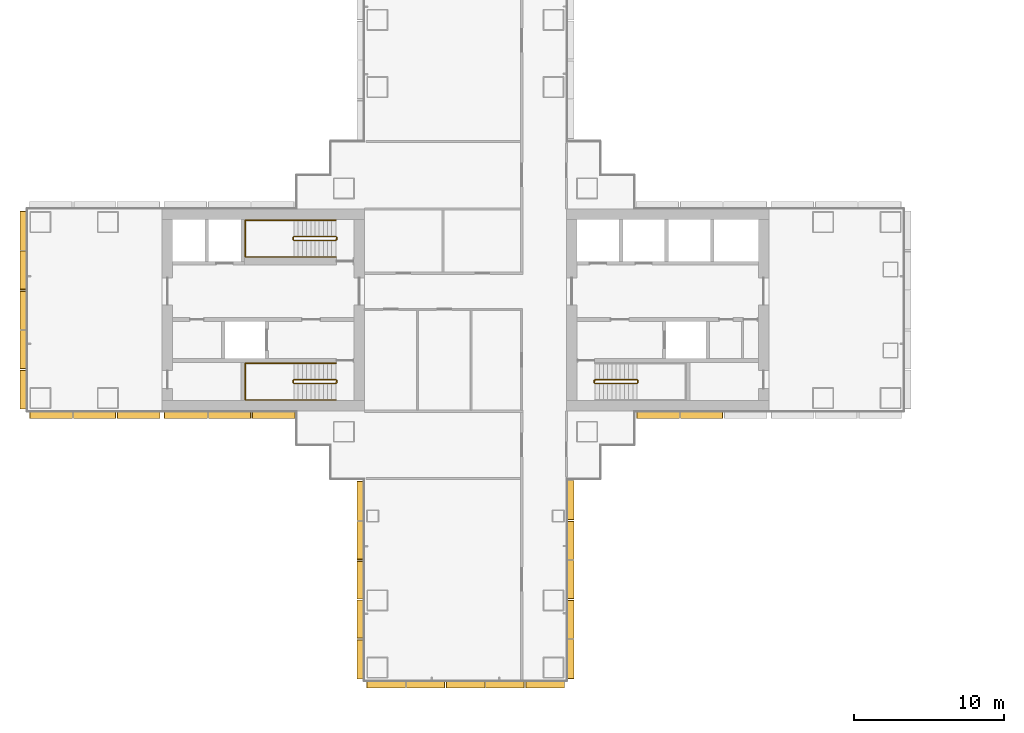
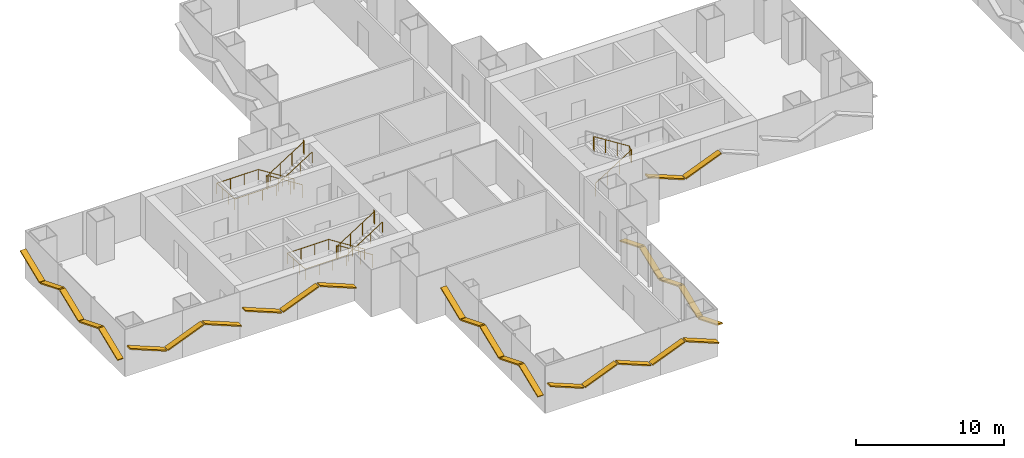
# One storey, part 18 of 21: 28 shading devices, 5 railings.
"""IFC4 building model written with IfcOpenShell, lengths in metres."""

from ifc_helpers import new_model, si_unit, direction, frame, origin, origin_2d, place, context, subcontext, project, spatial, rectangle, circle, extrude, material, material_profile, profile_set, type_object, element, save


model = new_model("IFC4")

# Units and contexts
model_context = context("Model", 3, precision=1e-05, world=origin(), true_north=direction((0.0, 1.0)))
body_context = subcontext(model_context, "Body", "Model", "MODEL_VIEW")
ifc_project = project(units=[si_unit("LENGTHUNIT", "METRE"), si_unit("AREAUNIT", "SQUARE_METRE"), si_unit("VOLUMEUNIT", "CUBIC_METRE"), si_unit("PLANEANGLEUNIT", "RADIAN"), si_unit("MASSUNIT", "GRAM", prefix="KILO")], contexts=[model_context])

# Site, building, storey
site_placement = place(None, origin())
site = spatial("IfcSite", under=ifc_project, at=site_placement, CompositionType="ELEMENT")
building_placement = place(site_placement, origin())
building = spatial("IfcBuilding", under=site, at=building_placement, Name="Shamsa Quay Exchange Towers", CompositionType="ELEMENT")
storey_placement = place(building_placement, frame((0.0, 0.0, 57.60009765625)))
storey = spatial("IfcBuildingStorey", under=building, at=storey_placement, Name="L12", CompositionType="ELEMENT", Elevation=57.60009765625)

# Shading devices
ifc_material_1 = material(Name="Aluminium EN AW-6063 T6, black anodised", Category="aluminium")
ifc_material_profile = material_profile(ifc_material_1, rectangle(XDim=0.449951171875, YDim=0.10009765625, at=origin_2d()), Name="FIN450x100")
ifc_profile_set = profile_set([ifc_material_profile], Name="Aluminium EN AW-6063 T6, black anodised")
shading_device_type = type_object("IfcShadingDeviceType", Name="FIN 450x100 BLACK ALUMINIUM", PredefinedType="USERDEFINED", material=ifc_profile_set)
shading_device_1_placement = place(storey_placement, frame((-40.764892578125, -11.43798828125, 2.12158203125), z_axis=(0.0, -0.927177443455, -0.374622461082), x_axis=(1.0, 0.0, 0.0)))
element("IfcShadingDevice", 1, at=shading_device_1_placement, inside=storey, type_object=shading_device_type, Name="FIN T1 chevron rib", ObjectType="FIN", PredefinedType="USERDEFINED", context=body_context, shape_type="SweptSolid", body=[
    extrude(rectangle(XDim=0.449951171875, YDim=0.10009765625, at=origin_2d()), origin(), (0.0, 0.0, 1.0), 2.785400390625),
])
for number, where, z_axis, x_axis, name in (
    (2, (-40.764892578125, -14.120361328125, 1.08837890625), (0.0, -0.927182738176, 0.374609356569), (1.0, 0.0, 0.0), "FIN T1 chevron rib"),
    (3, (-40.764892578125, -16.752685546875, 2.111572265625), (0.0, -0.927182738176, -0.374609356569), (1.0, 0.0, 0.0), "FIN T1 chevron rib"),
):
    element("IfcShadingDevice", number, at=place(storey_placement, frame(where, z_axis=z_axis, x_axis=x_axis)), inside=storey, type_object=shading_device_type, Name=name, ObjectType="FIN", PredefinedType="USERDEFINED", context=body_context, shape_type="SweptSolid", body=[
        extrude(rectangle(XDim=0.449951171875, YDim=0.10009765625, at=origin_2d()), origin(), (0.0, 0.0, 1.0), 2.7314453125),
    ])
shading_device_2_placement = place(storey_placement, frame((-40.764892578125, -19.38525390625, 1.08837890625), z_axis=(0.0, -0.927170193131, 0.37464040488), x_axis=(1.0, 0.0, 0.0)))
element("IfcShadingDevice", 4, at=shading_device_2_placement, inside=storey, type_object=shading_device_type, Name="FIN T1 chevron rib", ObjectType="FIN", PredefinedType="USERDEFINED", context=body_context, shape_type="SweptSolid", body=[
    extrude(rectangle(XDim=0.449951171875, YDim=0.10009765625, at=origin_2d()), origin(), (0.0, 0.0, 1.0), 2.731201171875),
])
shading_device_3_placement = place(storey_placement, frame((-40.764892578125, -22.017578125, 2.12158203125), z_axis=(0.0, -0.927177443455, -0.374622461082), x_axis=(1.0, 0.0, 0.0)))
element("IfcShadingDevice", 5, at=shading_device_3_placement, inside=storey, type_object=shading_device_type, Name="FIN T1 chevron rib", ObjectType="FIN", PredefinedType="USERDEFINED", context=body_context, shape_type="SweptSolid", body=[
    extrude(rectangle(XDim=0.449951171875, YDim=0.10009765625, at=origin_2d()), origin(), (0.0, 0.0, 1.0), 2.785400390625),
])
shading_device_4_placement = place(storey_placement, frame((-40.35009765625, -25.014892578125, 2.123046875), z_axis=(0.927193392866, 0.0, -0.374582984431), x_axis=(0.0, 1.0, 0.0)))
element("IfcShadingDevice", 6, at=shading_device_4_placement, inside=storey, type_object=shading_device_type, Name="FIN T1 chevron rib", ObjectType="FIN", PredefinedType="USERDEFINED", context=body_context, shape_type="SweptSolid", body=[
    extrude(rectangle(XDim=0.449951171875, YDim=0.10009765625, at=origin_2d()), origin(), (0.0, 0.0, 1.0), 2.79345703125),
])
shading_device_5_placement = place(storey_placement, frame((-37.659912109375, -25.014892578125, 1.086669921875), z_axis=(0.927155522456, 0.0, 0.374676710219), x_axis=(0.0, 1.0, 0.0)))
element("IfcShadingDevice", 7, at=shading_device_5_placement, inside=storey, type_object=shading_device_type, Name="FIN T1 chevron rib", ObjectType="FIN", PredefinedType="USERDEFINED", context=body_context, shape_type="SweptSolid", body=[
    extrude(rectangle(XDim=0.449951171875, YDim=0.10009765625, at=origin_2d()), origin(), (0.0, 0.0, 1.0), 2.7392578125),
])
shading_device_6_placement = place(storey_placement, frame((-35.02001953125, -25.014892578125, 2.113037109375), z_axis=(0.927168032348, 0.0, -0.374645752402), x_axis=(0.0, 1.0, 0.0)))
element("IfcShadingDevice", 8, at=shading_device_6_placement, inside=storey, type_object=shading_device_type, Name="FIN T1 chevron rib", ObjectType="FIN", PredefinedType="USERDEFINED", context=body_context, shape_type="SweptSolid", body=[
    extrude(rectangle(XDim=0.449951171875, YDim=0.10009765625, at=origin_2d()), origin(), (0.0, 0.0, 1.0), 2.739501953125),
])
shading_device_7_placement = place(storey_placement, frame((-32.3798828125, -25.014892578125, 1.086669921875), z_axis=(0.927155522456, 0.0, 0.374676710219), x_axis=(0.0, 1.0, 0.0)))
element("IfcShadingDevice", 9, at=shading_device_7_placement, inside=storey, type_object=shading_device_type, Name="FIN T1 chevron rib", ObjectType="FIN", PredefinedType="USERDEFINED", context=body_context, shape_type="SweptSolid", body=[
    extrude(rectangle(XDim=0.449951171875, YDim=0.10009765625, at=origin_2d()), origin(), (0.0, 0.0, 1.0), 2.7392578125),
])
for number, where, z_axis, x_axis, name in (
    (10, (-29.739990234375, -25.014892578125, 2.123046875), (0.927193392866, 0.0, -0.374582984431), (0.0, 1.0, 0.0), "FIN T1 chevron rib"),
    (11, (-26.735107421875, -24.60009765625, 2.123046875), (0.0, 0.927193392866, -0.374582984431), (-1.0, 0.0, 0.0), "FIN T1 chevron rib"),
):
    element("IfcShadingDevice", number, at=place(storey_placement, frame(where, z_axis=z_axis, x_axis=x_axis)), inside=storey, type_object=shading_device_type, Name=name, ObjectType="FIN", PredefinedType="USERDEFINED", context=body_context, shape_type="SweptSolid", body=[
        extrude(rectangle(XDim=0.449951171875, YDim=0.10009765625, at=origin_2d()), origin(), (0.0, 0.0, 1.0), 2.79345703125),
    ])
shading_device_8_placement = place(storey_placement, frame((-26.735107421875, -21.909912109375, 1.086669921875), z_axis=(0.0, 0.927155522456, 0.374676710219), x_axis=(-1.0, 0.0, 0.0)))
element("IfcShadingDevice", 12, at=shading_device_8_placement, inside=storey, type_object=shading_device_type, Name="FIN T1 chevron rib", ObjectType="FIN", PredefinedType="USERDEFINED", context=body_context, shape_type="SweptSolid", body=[
    extrude(rectangle(XDim=0.449951171875, YDim=0.10009765625, at=origin_2d()), origin(), (0.0, 0.0, 1.0), 2.7392578125),
])
shading_device_9_placement = place(storey_placement, frame((-26.735107421875, -19.27001953125, 2.113037109375), z_axis=(0.0, 0.927168032348, -0.374645752402), x_axis=(-1.0, 0.0, 0.0)))
element("IfcShadingDevice", 13, at=shading_device_9_placement, inside=storey, type_object=shading_device_type, Name="FIN T1 chevron rib", ObjectType="FIN", PredefinedType="USERDEFINED", context=body_context, shape_type="SweptSolid", body=[
    extrude(rectangle(XDim=0.449951171875, YDim=0.10009765625, at=origin_2d()), origin(), (0.0, 0.0, 1.0), 2.739501953125),
])
shading_device_10_placement = place(storey_placement, frame((-26.735107421875, -16.6298828125, 1.086669921875), z_axis=(0.0, 0.927155522456, 0.374676710219), x_axis=(-1.0, 0.0, 0.0)))
element("IfcShadingDevice", 14, at=shading_device_10_placement, inside=storey, type_object=shading_device_type, Name="FIN T1 chevron rib", ObjectType="FIN", PredefinedType="USERDEFINED", context=body_context, shape_type="SweptSolid", body=[
    extrude(rectangle(XDim=0.449951171875, YDim=0.10009765625, at=origin_2d()), origin(), (0.0, 0.0, 1.0), 2.7392578125),
])
shading_device_11_placement = place(storey_placement, frame((-26.735107421875, -13.989990234375, 2.123046875), z_axis=(0.0, 0.927193392866, -0.374582984431), x_axis=(-1.0, 0.0, 0.0)))
element("IfcShadingDevice", 15, at=shading_device_11_placement, inside=storey, type_object=shading_device_type, Name="FIN T1 chevron rib", ObjectType="FIN", PredefinedType="USERDEFINED", context=body_context, shape_type="SweptSolid", body=[
    extrude(rectangle(XDim=0.449951171875, YDim=0.10009765625, at=origin_2d()), origin(), (0.0, 0.0, 1.0), 2.79345703125),
])
shading_device_12_placement = place(storey_placement, frame((-22.31201171875, -7.01904296875, 2.173095703125), z_axis=(0.927172570945, 0.0, -0.374634520148), x_axis=(0.0, 1.0, 0.0)))
element("IfcShadingDevice", 16, at=shading_device_12_placement, inside=storey, type_object=shading_device_type, Name="FIN T1 chevron rib", ObjectType="FIN", PredefinedType="USERDEFINED", context=body_context, shape_type="SweptSolid", body=[
    extrude(rectangle(XDim=0.449951171875, YDim=0.10009765625, at=origin_2d()), origin(), (0.0, 0.0, 1.0), 3.060302734375),
])
shading_device_13_placement = place(storey_placement, frame((-19.374755859375, -7.01904296875, 1.036865234375), z_axis=(0.927177294124, 0.0, 0.374622830673), x_axis=(0.0, 1.0, 0.0)))
element("IfcShadingDevice", 17, at=shading_device_13_placement, inside=storey, type_object=shading_device_type, Name="FIN T1 chevron rib", ObjectType="FIN", PredefinedType="USERDEFINED", context=body_context, shape_type="SweptSolid", body=[
    extrude(rectangle(XDim=0.449951171875, YDim=0.10009765625, at=origin_2d()), origin(), (0.0, 0.0, 1.0), 3.00634765625),
])
shading_device_14_placement = place(storey_placement, frame((-63.264892578125, 6.60009765625, 2.123046875), z_axis=(0.0, -0.927193392866, -0.374582984431), x_axis=(1.0, 0.0, 0.0)))
element("IfcShadingDevice", 18, at=shading_device_14_placement, inside=storey, type_object=shading_device_type, Name="FIN T1 chevron rib", ObjectType="FIN", PredefinedType="USERDEFINED", context=body_context, shape_type="SweptSolid", body=[
    extrude(rectangle(XDim=0.449951171875, YDim=0.10009765625, at=origin_2d()), origin(), (0.0, 0.0, 1.0), 2.79345703125),
])
shading_device_15_placement = place(storey_placement, frame((-63.264892578125, 3.909912109375, 1.086669921875), z_axis=(0.0, -0.927155522456, 0.374676710219), x_axis=(1.0, 0.0, 0.0)))
element("IfcShadingDevice", 19, at=shading_device_15_placement, inside=storey, type_object=shading_device_type, Name="FIN T1 chevron rib", ObjectType="FIN", PredefinedType="USERDEFINED", context=body_context, shape_type="SweptSolid", body=[
    extrude(rectangle(XDim=0.449951171875, YDim=0.10009765625, at=origin_2d()), origin(), (0.0, 0.0, 1.0), 2.7392578125),
])
shading_device_16_placement = place(storey_placement, frame((-63.264892578125, 1.27001953125, 2.113037109375), z_axis=(0.0, -0.927168032348, -0.374645752402), x_axis=(1.0, 0.0, 0.0)))
element("IfcShadingDevice", 20, at=shading_device_16_placement, inside=storey, type_object=shading_device_type, Name="FIN T1 chevron rib", ObjectType="FIN", PredefinedType="USERDEFINED", context=body_context, shape_type="SweptSolid", body=[
    extrude(rectangle(XDim=0.449951171875, YDim=0.10009765625, at=origin_2d()), origin(), (0.0, 0.0, 1.0), 2.739501953125),
])
shading_device_17_placement = place(storey_placement, frame((-63.264892578125, -1.3701171875, 1.086669921875), z_axis=(0.0, -0.927155522456, 0.374676710219), x_axis=(1.0, 0.0, 0.0)))
element("IfcShadingDevice", 21, at=shading_device_17_placement, inside=storey, type_object=shading_device_type, Name="FIN T1 chevron rib", ObjectType="FIN", PredefinedType="USERDEFINED", context=body_context, shape_type="SweptSolid", body=[
    extrude(rectangle(XDim=0.449951171875, YDim=0.10009765625, at=origin_2d()), origin(), (0.0, 0.0, 1.0), 2.7392578125),
])
shading_device_18_placement = place(storey_placement, frame((-63.264892578125, -4.010009765625, 2.123046875), z_axis=(0.0, -0.927193392866, -0.374582984431), x_axis=(1.0, 0.0, 0.0)))
element("IfcShadingDevice", 22, at=shading_device_18_placement, inside=storey, type_object=shading_device_type, Name="FIN T1 chevron rib", ObjectType="FIN", PredefinedType="USERDEFINED", context=body_context, shape_type="SweptSolid", body=[
    extrude(rectangle(XDim=0.449951171875, YDim=0.10009765625, at=origin_2d()), origin(), (0.0, 0.0, 1.0), 2.79345703125),
])
shading_device_19_placement = place(storey_placement, frame((-62.85009765625, -7.014892578125, 2.175537109375), z_axis=(0.927200465101, 0.0, -0.374565478278), x_axis=(0.0, 1.0, 0.0)))
element("IfcShadingDevice", 23, at=shading_device_19_placement, inside=storey, type_object=shading_device_type, Name="FIN T1 chevron rib", ObjectType="FIN", PredefinedType="USERDEFINED", context=body_context, shape_type="SweptSolid", body=[
    extrude(rectangle(XDim=0.449951171875, YDim=0.10009765625, at=origin_2d()), origin(), (0.0, 0.0, 1.0), 3.073974609375),
])
shading_device_20_placement = place(storey_placement, frame((-59.89990234375, -7.014892578125, 1.0341796875), z_axis=(0.927166240011, 0.0, 0.37465018802), x_axis=(0.0, 1.0, 0.0)))
element("IfcShadingDevice", 24, at=shading_device_20_placement, inside=storey, type_object=shading_device_type, Name="FIN T1 chevron rib", ObjectType="FIN", PredefinedType="USERDEFINED", context=body_context, shape_type="SweptSolid", body=[
    extrude(rectangle(XDim=0.449951171875, YDim=0.10009765625, at=origin_2d()), origin(), (0.0, 0.0, 1.0), 3.019775390625),
])
for number, where, z_axis, x_axis, name in (
    (25, (-57.0, -7.014892578125, 2.175537109375), (0.927200465101, 0.0, -0.374565478278), (0.0, 1.0, 0.0), "FIN T1 chevron rib"),
    (26, (-53.85009765625, -7.01904296875, 2.175537109375), (0.927200465101, 0.0, -0.374565478278), (0.0, 1.0, 0.0), "FIN T1 chevron rib"),
):
    element("IfcShadingDevice", number, at=place(storey_placement, frame(where, z_axis=z_axis, x_axis=x_axis)), inside=storey, type_object=shading_device_type, Name=name, ObjectType="FIN", PredefinedType="USERDEFINED", context=body_context, shape_type="SweptSolid", body=[
        extrude(rectangle(XDim=0.449951171875, YDim=0.10009765625, at=origin_2d()), origin(), (0.0, 0.0, 1.0), 3.073974609375),
    ])
shading_device_21_placement = place(storey_placement, frame((-50.89990234375, -7.01904296875, 1.0341796875), z_axis=(0.927166240011, 0.0, 0.37465018802), x_axis=(0.0, 1.0, 0.0)))
element("IfcShadingDevice", 27, at=shading_device_21_placement, inside=storey, type_object=shading_device_type, Name="FIN T1 chevron rib", ObjectType="FIN", PredefinedType="USERDEFINED", context=body_context, shape_type="SweptSolid", body=[
    extrude(rectangle(XDim=0.449951171875, YDim=0.10009765625, at=origin_2d()), origin(), (0.0, 0.0, 1.0), 3.019775390625),
])
shading_device_22_placement = place(storey_placement, frame((-48.0, -7.01904296875, 2.175537109375), z_axis=(0.927200465101, 0.0, -0.374565478278), x_axis=(0.0, 1.0, 0.0)))
element("IfcShadingDevice", 28, at=shading_device_22_placement, inside=storey, type_object=shading_device_type, Name="FIN T1 chevron rib", ObjectType="FIN", PredefinedType="USERDEFINED", context=body_context, shape_type="SweptSolid", body=[
    extrude(rectangle(XDim=0.449951171875, YDim=0.10009765625, at=origin_2d()), origin(), (0.0, 0.0, 1.0), 3.073974609375),
])

# Railings
ifc_material_2 = material(Name="Stainless steel", Category="steel")
railing_type_1 = type_object("IfcRailingType", Name="STAIR GUARD 1100", PredefinedType="GUARDRAIL", material=ifc_material_2)
railing_1_placement = place(storey_placement, frame((-25.10009765625, -4.89990234375, 0.17724609375)))
element("IfcRailing", 29, at=railing_1_placement, inside=storey, type_object=railing_type_1, Name="L12 ST1 stair guard 1", PredefinedType="GUARDRAIL", context=body_context, shape_type="SweptSolid", body=[
    extrude(circle(Radius=0.02392578125, at=origin_2d()), frame((0.0, 0.0, 1.076171875), z_axis=(0.844908973607, 0.0, 0.534910110503), x_axis=(0.0, 1.0, 0.0)), (0.0, 0.0, 1.0), 3.31396484375),
    extrude(circle(Radius=0.02392578125, at=origin_2d()), frame((2.800048828125, 0.0, 2.8486328125), z_axis=(0.708833529934, 0.705375805398, 0.0), x_axis=(-0.705375805398, 0.708833529934, 0.0)), (0.0, 0.0, 1.0), 0.070556640625),
    extrude(circle(Radius=0.02392578125, at=origin_2d()), frame((2.85009765625, 0.0498046875, 2.8486328125), z_axis=(0.0, 1.0, 0.0), x_axis=(-1.0, 0.0, 0.0)), (0.0, 0.0, 1.0), 0.150146484375),
    extrude(circle(Radius=0.02392578125, at=origin_2d()), frame((2.85009765625, 0.199951171875, 2.8486328125), z_axis=(-0.262233686654, 0.262233686654, 0.928691007369), x_axis=(-0.707106781187, -0.707106781187, 0.0)), (0.0, 0.0, 1.0), 0.19091796875),
    extrude(circle(Radius=0.02392578125, at=origin_2d()), frame((2.800048828125, 0.25, 3.02587890625), z_axis=(-0.844908973607, 0.0, 0.534910110503), x_axis=(0.0, -1.0, 0.0)), (0.0, 0.0, 1.0), 3.31396484375),
    extrude(circle(Radius=0.02392578125, at=origin_2d()), frame((0.0, 0.25, 4.798828125), z_axis=(-0.24142163986, -0.970420317083, 0.0), x_axis=(0.970420317083, -0.24142163986, 0.0)), (0.0, 0.0, 1.0), 0.206298828125),
    extrude(circle(Radius=0.02392578125, at=origin_2d()), frame((-0.0498046875, 0.0498046875, 4.798828125), z_axis=(0.0, 1.0, 0.0), x_axis=(-1.0, 0.0, 0.0)), (0.0, 0.0, 1.0), 0.150146484375),
    extrude(circle(Radius=0.02099609375, at=origin_2d()), origin(), (0.0, 0.0, 1.0), 1.052001953125),
    extrude(circle(Radius=0.02099609375, at=origin_2d()), frame((0.933349609375, 0.0, 0.5908203125)), (0.0, 0.0, 1.0), 1.052001953125),
    extrude(circle(Radius=0.02099609375, at=origin_2d()), frame((1.86669921875, 0.0, 1.181884765625)), (0.0, 0.0, 1.0), 1.052001953125),
    extrude(circle(Radius=0.02099609375, at=origin_2d()), frame((2.800048828125, 0.0, 1.772705078125)), (0.0, 0.0, 1.0), 1.052001953125),
    extrude(circle(Radius=0.02099609375, at=origin_2d()), frame((2.85009765625, 0.0498046875, 1.772705078125)), (0.0, 0.0, 1.0), 1.052001953125),
    extrude(circle(Radius=0.02099609375, at=origin_2d()), frame((2.85009765625, 0.199951171875, 1.772705078125)), (0.0, 0.0, 1.0), 1.052001953125),
    extrude(circle(Radius=0.02099609375, at=origin_2d()), frame((2.800048828125, 0.25, 1.949951171875)), (0.0, 0.0, 1.0), 1.052001953125),
    extrude(circle(Radius=0.02099609375, at=origin_2d()), frame((1.86669921875, 0.25, 2.540771484375)), (0.0, 0.0, 1.0), 1.052001953125),
    extrude(circle(Radius=0.02099609375, at=origin_2d()), frame((0.933349609375, 0.25, 3.1318359375)), (0.0, 0.0, 1.0), 1.052001953125),
    extrude(circle(Radius=0.02099609375, at=origin_2d()), frame((0.0, 0.25, 3.72265625)), (0.0, 0.0, 1.0), 1.052001953125),
    extrude(circle(Radius=0.02099609375, at=origin_2d()), frame((-0.0498046875, 0.0498046875, 3.72265625)), (0.0, 0.0, 1.0), 1.052001953125),
    extrude(circle(Radius=0.02099609375, at=origin_2d()), frame((-0.0498046875, 0.199951171875, 3.72265625)), (0.0, 0.0, 1.0), 1.052001953125),
])
railing_2_placement = place(storey_placement, frame((-42.39990234375, -4.64990234375, 0.17724609375)))
element("IfcRailing", 30, at=railing_2_placement, inside=storey, type_object=railing_type_1, Name="L12 ST2 stair guard 1", PredefinedType="GUARDRAIL", context=body_context, shape_type="SweptSolid", body=[
    extrude(circle(Radius=0.02392578125, at=origin_2d()), frame((0.0, 0.0, 1.076171875), z_axis=(-0.844908973607, 0.0, 0.534910110503), x_axis=(0.0, -1.0, 0.0)), (0.0, 0.0, 1.0), 3.31396484375),
    extrude(circle(Radius=0.02392578125, at=origin_2d()), frame((-2.800048828125, 0.0, 2.8486328125), z_axis=(-0.707106781187, -0.707106781187, 0.0), x_axis=(0.707106781187, -0.707106781187, 0.0)), (0.0, 0.0, 1.0), 0.07080078125),
    extrude(circle(Radius=0.02392578125, at=origin_2d()), frame((-2.85009765625, -0.050048828125, 2.8486328125), z_axis=(0.0, -1.0, 0.0), x_axis=(1.0, 0.0, 0.0)), (0.0, 0.0, 1.0), 0.150146484375),
    extrude(circle(Radius=0.02392578125, at=origin_2d()), frame((-2.85009765625, -0.2001953125, 2.8486328125), z_axis=(0.262321481514, -0.261041864531, 0.929001929653), x_axis=(0.705375805398, 0.708833529934, 0.0)), (0.0, 0.0, 1.0), 0.190673828125),
    extrude(circle(Radius=0.02392578125, at=origin_2d()), frame((-2.800048828125, -0.25, 3.02587890625), z_axis=(0.844908973607, 0.0, 0.534910110503), x_axis=(0.0, 1.0, 0.0)), (0.0, 0.0, 1.0), 3.31396484375),
    extrude(circle(Radius=0.02392578125, at=origin_2d()), frame((0.0, -0.25, 4.798828125), z_axis=(0.241699205484, 0.970351222016, 0.0), x_axis=(-0.970351222016, 0.241699205484, 0.0)), (0.0, 0.0, 1.0), 0.2060546875),
    extrude(circle(Radius=0.02392578125, at=origin_2d()), frame((0.0498046875, -0.050048828125, 4.798828125), z_axis=(0.0, -1.0, 0.0), x_axis=(1.0, 0.0, 0.0)), (0.0, 0.0, 1.0), 0.150146484375),
    extrude(circle(Radius=0.02099609375, at=origin_2d()), origin(), (0.0, 0.0, 1.0), 1.052001953125),
    extrude(circle(Radius=0.02099609375, at=origin_2d()), frame((-0.933349609375, 0.0, 0.5908203125)), (0.0, 0.0, 1.0), 1.052001953125),
    extrude(circle(Radius=0.02099609375, at=origin_2d()), frame((-1.86669921875, 0.0, 1.181884765625)), (0.0, 0.0, 1.0), 1.052001953125),
    extrude(circle(Radius=0.02099609375, at=origin_2d()), frame((-2.800048828125, 0.0, 1.772705078125)), (0.0, 0.0, 1.0), 1.052001953125),
    extrude(circle(Radius=0.02099609375, at=origin_2d()), frame((-2.85009765625, -0.050048828125, 1.772705078125)), (0.0, 0.0, 1.0), 1.052001953125),
    extrude(circle(Radius=0.02099609375, at=origin_2d()), frame((-2.85009765625, -0.2001953125, 1.772705078125)), (0.0, 0.0, 1.0), 1.052001953125),
    extrude(circle(Radius=0.02099609375, at=origin_2d()), frame((-2.800048828125, -0.25, 1.949951171875)), (0.0, 0.0, 1.0), 1.052001953125),
    extrude(circle(Radius=0.02099609375, at=origin_2d()), frame((-1.86669921875, -0.25, 2.540771484375)), (0.0, 0.0, 1.0), 1.052001953125),
    extrude(circle(Radius=0.02099609375, at=origin_2d()), frame((-0.933349609375, -0.25, 3.1318359375)), (0.0, 0.0, 1.0), 1.052001953125),
    extrude(circle(Radius=0.02099609375, at=origin_2d()), frame((0.0, -0.25, 3.72265625)), (0.0, 0.0, 1.0), 1.052001953125),
    extrude(circle(Radius=0.02099609375, at=origin_2d()), frame((0.0498046875, -0.050048828125, 3.72265625)), (0.0, 0.0, 1.0), 1.052001953125),
    extrude(circle(Radius=0.02099609375, at=origin_2d()), frame((0.0498046875, -0.2001953125, 3.72265625)), (0.0, 0.0, 1.0), 1.052001953125),
])
railing_3_placement = place(storey_placement, frame((-42.39990234375, 4.89990234375, 0.17724609375)))
element("IfcRailing", 31, at=railing_3_placement, inside=storey, type_object=railing_type_1, Name="L12 ST3 stair guard 1", PredefinedType="GUARDRAIL", context=body_context, shape_type="SweptSolid", body=[
    extrude(circle(Radius=0.02392578125, at=origin_2d()), frame((0.0, 0.0, 1.076171875), z_axis=(-0.844908973607, 0.0, 0.534910110503), x_axis=(0.0, -1.0, 0.0)), (0.0, 0.0, 1.0), 3.31396484375),
    extrude(circle(Radius=0.02392578125, at=origin_2d()), frame((-2.800048828125, 0.0, 2.8486328125), z_axis=(-0.708833529934, -0.705375805398, 0.0), x_axis=(0.705375805398, -0.708833529934, 0.0)), (0.0, 0.0, 1.0), 0.070556640625),
    extrude(circle(Radius=0.02392578125, at=origin_2d()), frame((-2.85009765625, -0.0498046875, 2.8486328125), z_axis=(0.0, -1.0, 0.0), x_axis=(1.0, 0.0, 0.0)), (0.0, 0.0, 1.0), 0.150146484375),
    extrude(circle(Radius=0.02392578125, at=origin_2d()), frame((-2.85009765625, -0.199951171875, 2.8486328125), z_axis=(0.262233686654, -0.262233686654, 0.928691007369), x_axis=(0.707106781187, 0.707106781187, 0.0)), (0.0, 0.0, 1.0), 0.19091796875),
    extrude(circle(Radius=0.02392578125, at=origin_2d()), frame((-2.800048828125, -0.25, 3.02587890625), z_axis=(0.844908973607, 0.0, 0.534910110503), x_axis=(0.0, 1.0, 0.0)), (0.0, 0.0, 1.0), 3.31396484375),
    extrude(circle(Radius=0.02392578125, at=origin_2d()), frame((0.0, -0.25, 4.798828125), z_axis=(0.24142163986, 0.970420317083, 0.0), x_axis=(-0.970420317083, 0.24142163986, 0.0)), (0.0, 0.0, 1.0), 0.206298828125),
    extrude(circle(Radius=0.02392578125, at=origin_2d()), frame((0.0498046875, -0.0498046875, 4.798828125), z_axis=(0.0, -1.0, 0.0), x_axis=(1.0, 0.0, 0.0)), (0.0, 0.0, 1.0), 0.150146484375),
    extrude(circle(Radius=0.02099609375, at=origin_2d()), origin(), (0.0, 0.0, 1.0), 1.052001953125),
    extrude(circle(Radius=0.02099609375, at=origin_2d()), frame((-0.933349609375, 0.0, 0.5908203125)), (0.0, 0.0, 1.0), 1.052001953125),
    extrude(circle(Radius=0.02099609375, at=origin_2d()), frame((-1.86669921875, 0.0, 1.181884765625)), (0.0, 0.0, 1.0), 1.052001953125),
    extrude(circle(Radius=0.02099609375, at=origin_2d()), frame((-2.800048828125, 0.0, 1.772705078125)), (0.0, 0.0, 1.0), 1.052001953125),
    extrude(circle(Radius=0.02099609375, at=origin_2d()), frame((-2.85009765625, -0.0498046875, 1.772705078125)), (0.0, 0.0, 1.0), 1.052001953125),
    extrude(circle(Radius=0.02099609375, at=origin_2d()), frame((-2.85009765625, -0.199951171875, 1.772705078125)), (0.0, 0.0, 1.0), 1.052001953125),
    extrude(circle(Radius=0.02099609375, at=origin_2d()), frame((-2.800048828125, -0.25, 1.949951171875)), (0.0, 0.0, 1.0), 1.052001953125),
    extrude(circle(Radius=0.02099609375, at=origin_2d()), frame((-1.86669921875, -0.25, 2.540771484375)), (0.0, 0.0, 1.0), 1.052001953125),
    extrude(circle(Radius=0.02099609375, at=origin_2d()), frame((-0.933349609375, -0.25, 3.1318359375)), (0.0, 0.0, 1.0), 1.052001953125),
    extrude(circle(Radius=0.02099609375, at=origin_2d()), frame((0.0, -0.25, 3.72265625)), (0.0, 0.0, 1.0), 1.052001953125),
    extrude(circle(Radius=0.02099609375, at=origin_2d()), frame((0.0498046875, -0.0498046875, 3.72265625)), (0.0, 0.0, 1.0), 1.052001953125),
    extrude(circle(Radius=0.02099609375, at=origin_2d()), frame((0.0498046875, -0.199951171875, 3.72265625)), (0.0, 0.0, 1.0), 1.052001953125),
])
railing_type_2 = type_object("IfcRailingType", Name="STAIR HANDRAIL 900", PredefinedType="HANDRAIL", material=ifc_material_2)
railing_4_placement = place(storey_placement, frame((-42.39990234375, -3.550048828125, 0.17724609375)))
element("IfcRailing", 32, at=railing_4_placement, inside=storey, type_object=railing_type_2, Name="L12 ST2 stair handrail 1", PredefinedType="HANDRAIL", context=body_context, shape_type="SweptSolid", body=[
    extrude(circle(Radius=0.02392578125, at=origin_2d()), frame((0.0, 0.0, 0.8759765625), z_axis=(-0.844908973607, 0.0, 0.534910110503), x_axis=(0.0, -1.0, 0.0)), (0.0, 0.0, 1.0), 3.31396484375),
    extrude(circle(Radius=0.02392578125, at=origin_2d()), frame((-2.800048828125, 0.0, 2.6484375), z_axis=(-1.0, 0.0, 0.0), x_axis=(0.0, -1.0, 0.0)), (0.0, 0.0, 1.0), 3.25),
    extrude(circle(Radius=0.02392578125, at=origin_2d()), frame((-6.050048828125, 0.0, 2.6484375), z_axis=(0.0, -0.997393199914, 0.07215819264), x_axis=(1.0, 0.0, 0.0)), (0.0, 0.0, 1.0), 2.456298828125),
    extrude(circle(Radius=0.02392578125, at=origin_2d()), frame((-6.050048828125, -2.449951171875, 2.82568359375), z_axis=(1.0, 0.0, 0.0), x_axis=(0.0, 1.0, 0.0)), (0.0, 0.0, 1.0), 3.25),
    extrude(circle(Radius=0.02392578125, at=origin_2d()), frame((-2.800048828125, -2.449951171875, 2.82568359375), z_axis=(0.844908973607, 0.0, 0.534910110503), x_axis=(0.0, 1.0, 0.0)), (0.0, 0.0, 1.0), 3.31396484375),
    extrude(circle(Radius=0.02099609375, at=origin_2d()), origin(), (0.0, 0.0, 1.0), 0.851806640625),
    extrude(circle(Radius=0.02099609375, at=origin_2d()), frame((-0.933349609375, 0.0, 0.5908203125)), (0.0, 0.0, 1.0), 0.851806640625),
    extrude(circle(Radius=0.02099609375, at=origin_2d()), frame((-1.86669921875, 0.0, 1.181884765625)), (0.0, 0.0, 1.0), 0.851806640625),
    extrude(circle(Radius=0.02099609375, at=origin_2d()), frame((-2.800048828125, 0.0, 1.772705078125)), (0.0, 0.0, 1.0), 0.851806640625),
    extrude(circle(Radius=0.02099609375, at=origin_2d()), frame((-3.88330078125, 0.0, 1.772705078125)), (0.0, 0.0, 1.0), 0.851806640625),
    extrude(circle(Radius=0.02099609375, at=origin_2d()), frame((-4.966796875, 0.0, 1.772705078125)), (0.0, 0.0, 1.0), 0.851806640625),
    extrude(circle(Radius=0.02099609375, at=origin_2d()), frame((-6.050048828125, 0.0, 1.772705078125)), (0.0, 0.0, 1.0), 0.851806640625),
    extrude(circle(Radius=0.02099609375, at=origin_2d()), frame((-6.050048828125, -0.816650390625, 1.831787109375)), (0.0, 0.0, 1.0), 0.851806640625),
    extrude(circle(Radius=0.02099609375, at=origin_2d()), frame((-6.050048828125, -1.63330078125, 1.890869140625)), (0.0, 0.0, 1.0), 0.851806640625),
    extrude(circle(Radius=0.02099609375, at=origin_2d()), frame((-6.050048828125, -2.449951171875, 1.949951171875)), (0.0, 0.0, 1.0), 0.851806640625),
    extrude(circle(Radius=0.02099609375, at=origin_2d()), frame((-4.966796875, -2.449951171875, 1.949951171875)), (0.0, 0.0, 1.0), 0.851806640625),
    extrude(circle(Radius=0.02099609375, at=origin_2d()), frame((-3.88330078125, -2.449951171875, 1.949951171875)), (0.0, 0.0, 1.0), 0.851806640625),
    extrude(circle(Radius=0.02099609375, at=origin_2d()), frame((-2.800048828125, -2.449951171875, 1.949951171875)), (0.0, 0.0, 1.0), 0.851806640625),
    extrude(circle(Radius=0.02099609375, at=origin_2d()), frame((-1.86669921875, -2.449951171875, 2.540771484375)), (0.0, 0.0, 1.0), 0.851806640625),
    extrude(circle(Radius=0.02099609375, at=origin_2d()), frame((-0.933349609375, -2.449951171875, 3.1318359375)), (0.0, 0.0, 1.0), 0.851806640625),
    extrude(circle(Radius=0.02099609375, at=origin_2d()), frame((0.0, -2.449951171875, 3.72265625)), (0.0, 0.0, 1.0), 0.851806640625),
])
railing_5_placement = place(storey_placement, frame((-42.39990234375, 6.0, 0.17724609375)))
element("IfcRailing", 33, at=railing_5_placement, inside=storey, type_object=railing_type_2, Name="L12 ST3 stair handrail 1", PredefinedType="HANDRAIL", context=body_context, shape_type="SweptSolid", body=[
    extrude(circle(Radius=0.02392578125, at=origin_2d()), frame((0.0, 0.0, 0.8759765625), z_axis=(-0.844908973607, 0.0, 0.534910110503), x_axis=(0.0, -1.0, 0.0)), (0.0, 0.0, 1.0), 3.31396484375),
    extrude(circle(Radius=0.02392578125, at=origin_2d()), frame((-2.800048828125, 0.0, 2.6484375), z_axis=(-1.0, 0.0, 0.0), x_axis=(0.0, -1.0, 0.0)), (0.0, 0.0, 1.0), 3.25),
    extrude(circle(Radius=0.02392578125, at=origin_2d()), frame((-6.050048828125, 0.0, 2.6484375), z_axis=(0.0, -0.997393199914, 0.07215819264), x_axis=(1.0, 0.0, 0.0)), (0.0, 0.0, 1.0), 2.456298828125),
    extrude(circle(Radius=0.02392578125, at=origin_2d()), frame((-6.050048828125, -2.449951171875, 2.82568359375), z_axis=(1.0, 0.0, 0.0), x_axis=(0.0, 1.0, 0.0)), (0.0, 0.0, 1.0), 3.25),
    extrude(circle(Radius=0.02392578125, at=origin_2d()), frame((-2.800048828125, -2.449951171875, 2.82568359375), z_axis=(0.844908973607, 0.0, 0.534910110503), x_axis=(0.0, 1.0, 0.0)), (0.0, 0.0, 1.0), 3.31396484375),
    extrude(circle(Radius=0.02099609375, at=origin_2d()), origin(), (0.0, 0.0, 1.0), 0.851806640625),
    extrude(circle(Radius=0.02099609375, at=origin_2d()), frame((-0.933349609375, 0.0, 0.5908203125)), (0.0, 0.0, 1.0), 0.851806640625),
    extrude(circle(Radius=0.02099609375, at=origin_2d()), frame((-1.86669921875, 0.0, 1.181884765625)), (0.0, 0.0, 1.0), 0.851806640625),
    extrude(circle(Radius=0.02099609375, at=origin_2d()), frame((-2.800048828125, 0.0, 1.772705078125)), (0.0, 0.0, 1.0), 0.851806640625),
    extrude(circle(Radius=0.02099609375, at=origin_2d()), frame((-3.88330078125, 0.0, 1.772705078125)), (0.0, 0.0, 1.0), 0.851806640625),
    extrude(circle(Radius=0.02099609375, at=origin_2d()), frame((-4.966796875, 0.0, 1.772705078125)), (0.0, 0.0, 1.0), 0.851806640625),
    extrude(circle(Radius=0.02099609375, at=origin_2d()), frame((-6.050048828125, 0.0, 1.772705078125)), (0.0, 0.0, 1.0), 0.851806640625),
    extrude(circle(Radius=0.02099609375, at=origin_2d()), frame((-6.050048828125, -0.816650390625, 1.831787109375)), (0.0, 0.0, 1.0), 0.851806640625),
    extrude(circle(Radius=0.02099609375, at=origin_2d()), frame((-6.050048828125, -1.63330078125, 1.890869140625)), (0.0, 0.0, 1.0), 0.851806640625),
    extrude(circle(Radius=0.02099609375, at=origin_2d()), frame((-6.050048828125, -2.449951171875, 1.949951171875)), (0.0, 0.0, 1.0), 0.851806640625),
    extrude(circle(Radius=0.02099609375, at=origin_2d()), frame((-4.966796875, -2.449951171875, 1.949951171875)), (0.0, 0.0, 1.0), 0.851806640625),
    extrude(circle(Radius=0.02099609375, at=origin_2d()), frame((-3.88330078125, -2.449951171875, 1.949951171875)), (0.0, 0.0, 1.0), 0.851806640625),
    extrude(circle(Radius=0.02099609375, at=origin_2d()), frame((-2.800048828125, -2.449951171875, 1.949951171875)), (0.0, 0.0, 1.0), 0.851806640625),
    extrude(circle(Radius=0.02099609375, at=origin_2d()), frame((-1.86669921875, -2.449951171875, 2.540771484375)), (0.0, 0.0, 1.0), 0.851806640625),
    extrude(circle(Radius=0.02099609375, at=origin_2d()), frame((-0.933349609375, -2.449951171875, 3.1318359375)), (0.0, 0.0, 1.0), 0.851806640625),
    extrude(circle(Radius=0.02099609375, at=origin_2d()), frame((0.0, -2.449951171875, 3.72265625)), (0.0, 0.0, 1.0), 0.851806640625),
])

save(model, "model.ifc")
